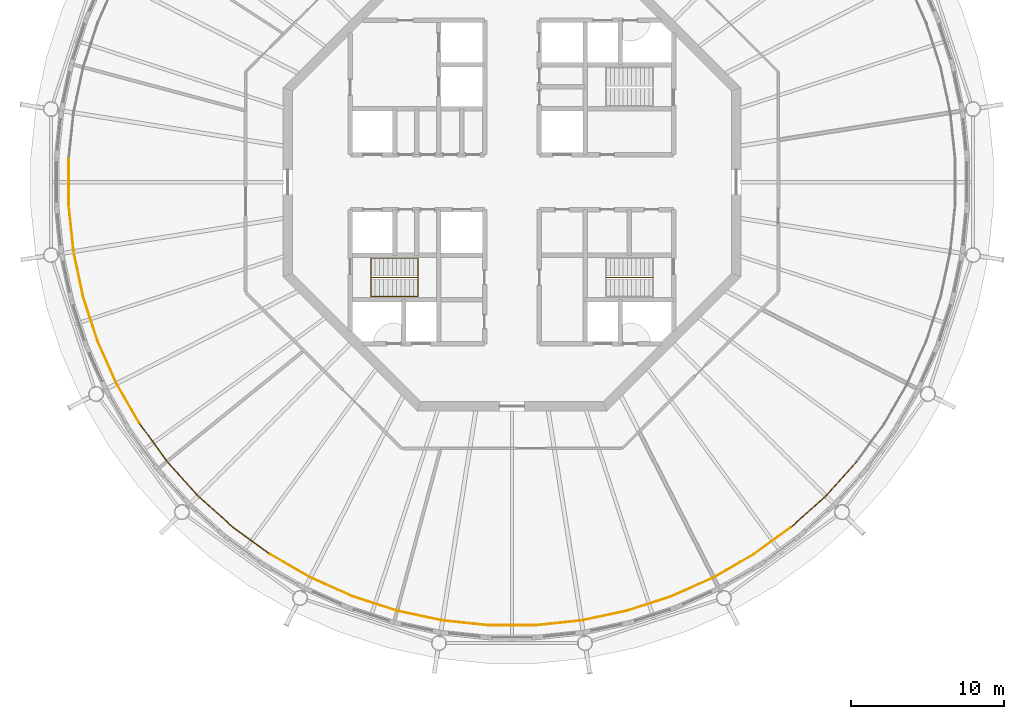
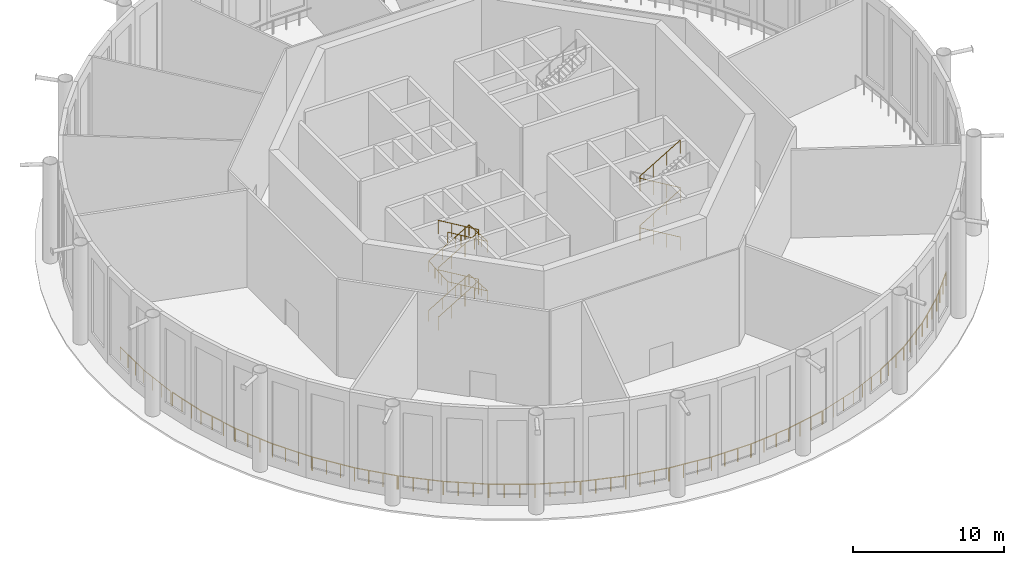
# One storey, part 15 of 17: 15 railings.
"""IFC4 building model written with IfcOpenShell, lengths in metres."""

from ifc_helpers import new_model, si_unit, direction, frame, origin, origin_2d, place, context, subcontext, project, spatial, circle, extrude, material, type_object, element, save


model = new_model("IFC4")

# Units and contexts
model_context = context("Model", 3, precision=1e-05, world=origin(), true_north=direction((0.0, 1.0)))
body_context = subcontext(model_context, "Body", "Model", "MODEL_VIEW")
ifc_project = project(units=[si_unit("LENGTHUNIT", "METRE"), si_unit("AREAUNIT", "SQUARE_METRE"), si_unit("VOLUMEUNIT", "CUBIC_METRE"), si_unit("PLANEANGLEUNIT", "RADIAN"), si_unit("MASSUNIT", "GRAM", prefix="KILO")], contexts=[model_context])

# Site, building, storey
site_placement = place(None, origin())
site = spatial("IfcSite", under=ifc_project, at=site_placement, CompositionType="ELEMENT")
building_placement = place(site_placement, origin())
building = spatial("IfcBuilding", under=site, at=building_placement, Name="Entoto Ring Tower", CompositionType="ELEMENT")
storey_placement = place(building_placement, frame((0.0, 0.0, 407.0)))
storey = spatial("IfcBuildingStorey", under=building, at=storey_placement, Name="L93", CompositionType="ELEMENT", Elevation=407.0)

# Railings
ifc_material_1 = material(Name="Stainless steel 316", Category="steel")
railing_type_1 = type_object("IfcRailingType", Name="Guard 1100 mm steel balustrade, observation floor", PredefinedType="GUARDRAIL", material=ifc_material_1)
railing_1_placement = place(storey_placement, frame((60.93994140625, 81.52294921875, 0.0)))
element("IfcRailing", 1, at=railing_1_placement, inside=storey, type_object=railing_type_1, Name="OBSERVATION FLOOR GUARD 15", PredefinedType="GUARDRAIL", context=body_context, shape_type="SweptSolid", body=[
    extrude(circle(Radius=0.02490234375, at=origin_2d()), frame((0.0, 0.0, 1.0751953125), z_axis=(0.0, -1.0, 0.0), x_axis=(1.0, 0.0, 0.0)), (0.0, 0.0, 1.0), 3.0458984375),
    extrude(circle(Radius=0.02490234375, at=origin_2d()), frame((0.0, -3.0458984375, 1.0751953125), z_axis=(0.104517891713, -0.994523006427, 0.0), x_axis=(0.994523006427, 0.104517891713, 0.0)), (0.0, 0.0, 1.0), 3.0458984375),
    extrude(circle(Radius=0.02490234375, at=origin_2d()), origin(), (0.0, 0.0, 1.0), 1.050048828125),
    extrude(circle(Radius=0.02490234375, at=origin_2d()), frame((0.0, -1.015380859375, 0.0)), (0.0, 0.0, 1.0), 1.050048828125),
    extrude(circle(Radius=0.02490234375, at=origin_2d()), frame((0.0, -2.030517578125, 0.0)), (0.0, 0.0, 1.0), 1.050048828125),
    extrude(circle(Radius=0.02490234375, at=origin_2d()), frame((0.0, -3.0458984375, 0.0)), (0.0, 0.0, 1.0), 1.050048828125),
    extrude(circle(Radius=0.02490234375, at=origin_2d()), frame((0.106201171875, -4.0556640625, 0.0)), (0.0, 0.0, 1.0), 1.050048828125),
    extrude(circle(Radius=0.02490234375, at=origin_2d()), frame((0.212158203125, -5.0654296875, 0.0)), (0.0, 0.0, 1.0), 1.050048828125),
    extrude(circle(Radius=0.02490234375, at=origin_2d()), frame((0.318359375, -6.0751953125, 0.0)), (0.0, 0.0, 1.0), 1.050048828125),
])
railing_2_placement = place(storey_placement, frame((61.2998046875, 75.252197265625, 0.0)))
element("IfcRailing", 2, at=railing_2_placement, inside=storey, type_object=railing_type_1, Name="OBSERVATION FLOOR GUARD 16", PredefinedType="GUARDRAIL", context=body_context, shape_type="SweptSolid", body=[
    extrude(circle(Radius=0.02490234375, at=origin_2d()), frame((0.0, 0.0, 1.0751953125), z_axis=(0.207929543573, -0.978143805843, 0.0), x_axis=(0.978143805843, 0.207929543573, 0.0)), (0.0, 0.0, 1.0), 2.84619140625),
    extrude(circle(Radius=0.02490234375, at=origin_2d()), frame((0.591796875, -2.783935546875, 1.0751953125), z_axis=(0.309006566809, -0.951059904354, 0.0), x_axis=(0.951059904354, 0.309006566809, 0.0)), (0.0, 0.0, 1.0), 2.98583984375),
    extrude(circle(Radius=0.02490234375, at=origin_2d()), origin(), (0.0, 0.0, 1.0), 1.050048828125),
    extrude(circle(Radius=0.02490234375, at=origin_2d()), frame((0.197265625, -0.927978515625, 0.0)), (0.0, 0.0, 1.0), 1.050048828125),
    extrude(circle(Radius=0.02490234375, at=origin_2d()), frame((0.39453125, -1.85595703125, 0.0)), (0.0, 0.0, 1.0), 1.050048828125),
    extrude(circle(Radius=0.02490234375, at=origin_2d()), frame((0.591796875, -2.783935546875, 0.0)), (0.0, 0.0, 1.0), 1.050048828125),
    extrude(circle(Radius=0.02490234375, at=origin_2d()), frame((0.8994140625, -3.73046875, 0.0)), (0.0, 0.0, 1.0), 1.050048828125),
    extrude(circle(Radius=0.02490234375, at=origin_2d()), frame((1.206787109375, -4.677001953125, 0.0)), (0.0, 0.0, 1.0), 1.050048828125),
    extrude(circle(Radius=0.02490234375, at=origin_2d()), frame((1.514404296875, -5.62353515625, 0.0)), (0.0, 0.0, 1.0), 1.050048828125),
])
railing_3_placement = place(storey_placement, frame((62.832763671875, 69.571533203125, 0.0)))
element("IfcRailing", 3, at=railing_3_placement, inside=storey, type_object=railing_type_1, Name="OBSERVATION FLOOR GUARD 17", PredefinedType="GUARDRAIL", context=body_context, shape_type="SweptSolid", body=[
    extrude(circle(Radius=0.02490234375, at=origin_2d()), frame((0.0, 0.0, 1.0751953125), z_axis=(0.406755602467, -0.913537016142, 0.0), x_axis=(0.913537016142, 0.406755602467, 0.0)), (0.0, 0.0, 1.0), 3.046142578125),
    extrude(circle(Radius=0.02490234375, at=origin_2d()), frame((1.239013671875, -2.78271484375, 1.0751953125), z_axis=(0.499981967963, -0.866035814336, 0.0), x_axis=(0.866035814336, 0.499981967963, 0.0)), (0.0, 0.0, 1.0), 2.98583984375),
    extrude(circle(Radius=0.02490234375, at=origin_2d()), origin(), (0.0, 0.0, 1.0), 1.050048828125),
    extrude(circle(Radius=0.02490234375, at=origin_2d()), frame((0.4130859375, -0.927490234375, 0.0)), (0.0, 0.0, 1.0), 1.050048828125),
    extrude(circle(Radius=0.02490234375, at=origin_2d()), frame((0.825927734375, -1.855224609375, 0.0)), (0.0, 0.0, 1.0), 1.050048828125),
    extrude(circle(Radius=0.02490234375, at=origin_2d()), frame((1.239013671875, -2.78271484375, 0.0)), (0.0, 0.0, 1.0), 1.050048828125),
    extrude(circle(Radius=0.02490234375, at=origin_2d()), frame((1.736572265625, -3.644775390625, 0.0)), (0.0, 0.0, 1.0), 1.050048828125),
    extrude(circle(Radius=0.02490234375, at=origin_2d()), frame((2.234375, -4.506591796875, 0.0)), (0.0, 0.0, 1.0), 1.050048828125),
    extrude(circle(Radius=0.02490234375, at=origin_2d()), frame((2.73193359375, -5.36865234375, 0.0)), (0.0, 0.0, 1.0), 1.050048828125),
])
railing_4_placement = place(storey_placement, frame((65.5947265625, 64.151123046875, 0.0)))
element("IfcRailing", 4, at=railing_4_placement, inside=storey, type_object=railing_type_1, Name="OBSERVATION FLOOR GUARD 18", PredefinedType="GUARDRAIL", context=body_context, shape_type="SweptSolid", body=[
    extrude(circle(Radius=0.02490234375, at=origin_2d()), frame((0.0, 0.0, 1.0751953125), z_axis=(0.587747466225, -0.809044446212, 0.0), x_axis=(0.809044446212, 0.587747466225, 0.0)), (0.0, 0.0, 1.0), 3.0458984375),
    extrude(circle(Radius=0.02490234375, at=origin_2d()), frame((1.790283203125, -2.46435546875, 1.0751953125), z_axis=(0.669140885276, -0.74313557017, 0.0), x_axis=(0.74313557017, 0.669140885276, 0.0)), (0.0, 0.0, 1.0), 2.986083984375),
    extrude(circle(Radius=0.02490234375, at=origin_2d()), origin(), (0.0, 0.0, 1.0), 1.050048828125),
    extrude(circle(Radius=0.02490234375, at=origin_2d()), frame((0.5966796875, -0.821533203125, 0.0)), (0.0, 0.0, 1.0), 1.050048828125),
    extrude(circle(Radius=0.02490234375, at=origin_2d()), frame((1.193603515625, -1.642822265625, 0.0)), (0.0, 0.0, 1.0), 1.050048828125),
    extrude(circle(Radius=0.02490234375, at=origin_2d()), frame((1.790283203125, -2.46435546875, 0.0)), (0.0, 0.0, 1.0), 1.050048828125),
    extrude(circle(Radius=0.02490234375, at=origin_2d()), frame((2.456298828125, -3.2041015625, 0.0)), (0.0, 0.0, 1.0), 1.050048828125),
    extrude(circle(Radius=0.02490234375, at=origin_2d()), frame((3.122314453125, -3.943603515625, 0.0)), (0.0, 0.0, 1.0), 1.050048828125),
    extrude(circle(Radius=0.02490234375, at=origin_2d()), frame((3.788330078125, -4.683349609375, 0.0)), (0.0, 0.0, 1.0), 1.050048828125),
])
railing_5_placement = place(storey_placement, frame((69.423095703125, 59.423095703125, 0.0)))
element("IfcRailing", 5, at=railing_5_placement, inside=storey, type_object=railing_type_1, Name="OBSERVATION FLOOR GUARD 19", PredefinedType="GUARDRAIL", context=body_context, shape_type="SweptSolid", body=[
    extrude(circle(Radius=0.02490234375, at=origin_2d()), frame((0.0, 0.0, 1.0751953125), z_axis=(0.743166598537, -0.669106424135, 0.0), x_axis=(0.669106424135, 0.743166598537, 0.0)), (0.0, 0.0, 1.0), 3.0458984375),
    extrude(circle(Radius=0.02490234375, at=origin_2d()), frame((2.263671875, -2.0380859375, 1.0751953125), z_axis=(0.809022371949, -0.587777850626, 0.0), x_axis=(0.587777850626, 0.809022371949, 0.0)), (0.0, 0.0, 1.0), 2.986083984375),
    extrude(circle(Radius=0.02490234375, at=origin_2d()), origin(), (0.0, 0.0, 1.0), 1.050048828125),
    extrude(circle(Radius=0.02490234375, at=origin_2d()), frame((0.754638671875, -0.679443359375, 0.0)), (0.0, 0.0, 1.0), 1.050048828125),
    extrude(circle(Radius=0.02490234375, at=origin_2d()), frame((1.509033203125, -1.358642578125, 0.0)), (0.0, 0.0, 1.0), 1.050048828125),
    extrude(circle(Radius=0.02490234375, at=origin_2d()), frame((2.263671875, -2.0380859375, 0.0)), (0.0, 0.0, 1.0), 1.050048828125),
    extrude(circle(Radius=0.02490234375, at=origin_2d()), frame((3.06884765625, -2.623046875, 0.0)), (0.0, 0.0, 1.0), 1.050048828125),
    extrude(circle(Radius=0.02490234375, at=origin_2d()), frame((3.874267578125, -3.208251953125, 0.0)), (0.0, 0.0, 1.0), 1.050048828125),
    extrude(circle(Radius=0.02490234375, at=origin_2d()), frame((4.679443359375, -3.793212890625, 0.0)), (0.0, 0.0, 1.0), 1.050048828125),
])
railing_6_placement = place(storey_placement, frame((74.151123046875, 55.5947265625, 0.0)))
element("IfcRailing", 6, at=railing_6_placement, inside=storey, type_object=railing_type_1, Name="OBSERVATION FLOOR GUARD 20", PredefinedType="GUARDRAIL", context=body_context, shape_type="SweptSolid", body=[
    extrude(circle(Radius=0.02490234375, at=origin_2d()), frame((0.0, 0.0, 1.0751953125), z_axis=(0.866014723935, -0.500018497585, 0.0), x_axis=(0.500018497585, 0.866014723935, 0.0)), (0.0, 0.0, 1.0), 3.0458984375),
    extrude(circle(Radius=0.02490234375, at=origin_2d()), frame((2.6376953125, -1.52294921875, 1.0751953125), z_axis=(0.913531485068, -0.406768024542, 0.0), x_axis=(0.406768024542, 0.913531485068, 0.0)), (0.0, 0.0, 1.0), 2.986083984375),
    extrude(circle(Radius=0.02490234375, at=origin_2d()), origin(), (0.0, 0.0, 1.0), 1.050048828125),
    extrude(circle(Radius=0.02490234375, at=origin_2d()), frame((0.879150390625, -0.507568359375, 0.0)), (0.0, 0.0, 1.0), 1.050048828125),
    extrude(circle(Radius=0.02490234375, at=origin_2d()), frame((1.758544921875, -1.015380859375, 0.0)), (0.0, 0.0, 1.0), 1.050048828125),
    extrude(circle(Radius=0.02490234375, at=origin_2d()), frame((2.6376953125, -1.52294921875, 0.0)), (0.0, 0.0, 1.0), 1.050048828125),
    extrude(circle(Radius=0.02490234375, at=origin_2d()), frame((3.546875, -1.927734375, 0.0)), (0.0, 0.0, 1.0), 1.050048828125),
    extrude(circle(Radius=0.02490234375, at=origin_2d()), frame((4.456298828125, -2.332763671875, 0.0)), (0.0, 0.0, 1.0), 1.050048828125),
    extrude(circle(Radius=0.02490234375, at=origin_2d()), frame((5.365478515625, -2.737548828125, 0.0)), (0.0, 0.0, 1.0), 1.050048828125),
])
railing_7_placement = place(storey_placement, frame((79.571533203125, 52.832763671875, 0.0)))
element("IfcRailing", 7, at=railing_7_placement, inside=storey, type_object=railing_type_1, Name="OBSERVATION FLOOR GUARD 21", PredefinedType="GUARDRAIL", context=body_context, shape_type="SweptSolid", body=[
    extrude(circle(Radius=0.02490234375, at=origin_2d()), frame((0.0, 0.0, 1.0751953125), z_axis=(0.951060572715, -0.309004509719, 0.0), x_axis=(0.309004509719, 0.951060572715, 0.0)), (0.0, 0.0, 1.0), 3.0458984375),
    extrude(circle(Radius=0.02490234375, at=origin_2d()), frame((2.896728515625, -0.941162109375, 1.0751953125), z_axis=(0.978148044734, -0.207909601952, 0.0), x_axis=(0.207909601952, 0.978148044734, 0.0)), (0.0, 0.0, 1.0), 2.986083984375),
    extrude(circle(Radius=0.02490234375, at=origin_2d()), origin(), (0.0, 0.0, 1.0), 1.050048828125),
    extrude(circle(Radius=0.02490234375, at=origin_2d()), frame((0.965576171875, -0.313720703125, 0.0)), (0.0, 0.0, 1.0), 1.050048828125),
    extrude(circle(Radius=0.02490234375, at=origin_2d()), frame((1.93115234375, -0.62744140625, 0.0)), (0.0, 0.0, 1.0), 1.050048828125),
    extrude(circle(Radius=0.02490234375, at=origin_2d()), frame((2.896728515625, -0.941162109375, 0.0)), (0.0, 0.0, 1.0), 1.050048828125),
    extrude(circle(Radius=0.02490234375, at=origin_2d()), frame((3.870361328125, -1.148193359375, 0.0)), (0.0, 0.0, 1.0), 1.050048828125),
    extrude(circle(Radius=0.02490234375, at=origin_2d()), frame((4.843994140625, -1.35498046875, 0.0)), (0.0, 0.0, 1.0), 1.050048828125),
    extrude(circle(Radius=0.02490234375, at=origin_2d()), frame((5.817626953125, -1.56201171875, 0.0)), (0.0, 0.0, 1.0), 1.050048828125),
])
railing_8_placement = place(storey_placement, frame((85.44775390625, 51.25830078125, 0.0)))
element("IfcRailing", 8, at=railing_8_placement, inside=storey, type_object=railing_type_1, Name="OBSERVATION FLOOR GUARD 22", PredefinedType="GUARDRAIL", context=body_context, shape_type="SweptSolid", body=[
    extrude(circle(Radius=0.02490234375, at=origin_2d()), frame((0.0, 0.0, 1.0751953125), z_axis=(0.994523006427, -0.104517891713, 0.0), x_axis=(0.104517891713, 0.994523006427, 0.0)), (0.0, 0.0, 1.0), 3.0458984375),
    extrude(circle(Radius=0.02490234375, at=origin_2d()), frame((3.029296875, -0.318359375, 1.0751953125), z_axis=(1.0, 0.0, 0.0), x_axis=(0.0, 1.0, 0.0)), (0.0, 0.0, 1.0), 2.98583984375),
    extrude(circle(Radius=0.02490234375, at=origin_2d()), origin(), (0.0, 0.0, 1.0), 1.050048828125),
    extrude(circle(Radius=0.02490234375, at=origin_2d()), frame((1.009765625, -0.106201171875, 0.0)), (0.0, 0.0, 1.0), 1.050048828125),
    extrude(circle(Radius=0.02490234375, at=origin_2d()), frame((2.01953125, -0.212158203125, 0.0)), (0.0, 0.0, 1.0), 1.050048828125),
    extrude(circle(Radius=0.02490234375, at=origin_2d()), frame((3.029296875, -0.318359375, 0.0)), (0.0, 0.0, 1.0), 1.050048828125),
    extrude(circle(Radius=0.02490234375, at=origin_2d()), frame((4.024658203125, -0.318359375, 0.0)), (0.0, 0.0, 1.0), 1.050048828125),
    extrude(circle(Radius=0.02490234375, at=origin_2d()), frame((5.019775390625, -0.318359375, 0.0)), (0.0, 0.0, 1.0), 1.050048828125),
    extrude(circle(Radius=0.02490234375, at=origin_2d()), frame((6.01513671875, -0.318359375, 0.0)), (0.0, 0.0, 1.0), 1.050048828125),
])
railing_9_placement = place(storey_placement, frame((91.52294921875, 50.93994140625, 0.0)))
element("IfcRailing", 9, at=railing_9_placement, inside=storey, type_object=railing_type_1, Name="OBSERVATION FLOOR GUARD 23", PredefinedType="GUARDRAIL", context=body_context, shape_type="SweptSolid", body=[
    extrude(circle(Radius=0.02490234375, at=origin_2d()), frame((0.0, 0.0, 1.0751953125), z_axis=(0.994523006427, 0.104517891713, 0.0), x_axis=(-0.104517891713, 0.994523006427, 0.0)), (0.0, 0.0, 1.0), 3.0458984375),
    extrude(circle(Radius=0.02490234375, at=origin_2d()), frame((3.029296875, 0.318359375, 1.0751953125), z_axis=(0.978144510222, 0.20792623, 0.0), x_axis=(-0.20792623, 0.978144510222, 0.0)), (0.0, 0.0, 1.0), 2.98583984375),
    extrude(circle(Radius=0.02490234375, at=origin_2d()), origin(), (0.0, 0.0, 1.0), 1.050048828125),
    extrude(circle(Radius=0.02490234375, at=origin_2d()), frame((1.009765625, 0.106201171875, 0.0)), (0.0, 0.0, 1.0), 1.050048828125),
    extrude(circle(Radius=0.02490234375, at=origin_2d()), frame((2.01953125, 0.212158203125, 0.0)), (0.0, 0.0, 1.0), 1.050048828125),
    extrude(circle(Radius=0.02490234375, at=origin_2d()), frame((3.029296875, 0.318359375, 0.0)), (0.0, 0.0, 1.0), 1.050048828125),
    extrude(circle(Radius=0.02490234375, at=origin_2d()), frame((4.0029296875, 0.525390625, 0.0)), (0.0, 0.0, 1.0), 1.050048828125),
    extrude(circle(Radius=0.02490234375, at=origin_2d()), frame((4.976318359375, 0.732177734375, 0.0)), (0.0, 0.0, 1.0), 1.050048828125),
    extrude(circle(Radius=0.02490234375, at=origin_2d()), frame((5.949951171875, 0.939208984375, 0.0)), (0.0, 0.0, 1.0), 1.050048828125),
])
railing_10_placement = place(storey_placement, frame((97.53173828125, 51.8916015625, 0.0)))
element("IfcRailing", 10, at=railing_10_placement, inside=storey, type_object=railing_type_1, Name="OBSERVATION FLOOR GUARD 24", PredefinedType="GUARDRAIL", context=body_context, shape_type="SweptSolid", body=[
    extrude(circle(Radius=0.02490234375, at=origin_2d()), frame((0.0, 0.0, 1.0751953125), z_axis=(0.951060572715, 0.309004509719, 0.0), x_axis=(-0.309004509719, 0.951060572715, 0.0)), (0.0, 0.0, 1.0), 3.0458984375),
    extrude(circle(Radius=0.02490234375, at=origin_2d()), frame((2.896728515625, 0.941162109375, 1.0751953125), z_axis=(0.913531485068, 0.406768024542, 0.0), x_axis=(-0.406768024542, 0.913531485068, 0.0)), (0.0, 0.0, 1.0), 2.986083984375),
    extrude(circle(Radius=0.02490234375, at=origin_2d()), origin(), (0.0, 0.0, 1.0), 1.050048828125),
    extrude(circle(Radius=0.02490234375, at=origin_2d()), frame((0.965576171875, 0.313720703125, 0.0)), (0.0, 0.0, 1.0), 1.050048828125),
    extrude(circle(Radius=0.02490234375, at=origin_2d()), frame((1.93115234375, 0.62744140625, 0.0)), (0.0, 0.0, 1.0), 1.050048828125),
    extrude(circle(Radius=0.02490234375, at=origin_2d()), frame((2.896728515625, 0.941162109375, 0.0)), (0.0, 0.0, 1.0), 1.050048828125),
    extrude(circle(Radius=0.02490234375, at=origin_2d()), frame((3.805908203125, 1.345947265625, 0.0)), (0.0, 0.0, 1.0), 1.050048828125),
    extrude(circle(Radius=0.02490234375, at=origin_2d()), frame((4.71533203125, 1.7509765625, 0.0)), (0.0, 0.0, 1.0), 1.050048828125),
    extrude(circle(Radius=0.02490234375, at=origin_2d()), frame((5.62451171875, 2.15576171875, 0.0)), (0.0, 0.0, 1.0), 1.050048828125),
])
railing_11_placement = place(storey_placement, frame((103.211181640625, 54.07177734375, 0.0)))
element("IfcRailing", 11, at=railing_11_placement, inside=storey, type_object=railing_type_1, Name="OBSERVATION FLOOR GUARD 25", PredefinedType="GUARDRAIL", context=body_context, shape_type="SweptSolid", body=[
    extrude(circle(Radius=0.02490234375, at=origin_2d()), frame((0.0, 0.0, 1.0751953125), z_axis=(0.866014723935, 0.500018497585, 0.0), x_axis=(-0.500018497585, 0.866014723935, 0.0)), (0.0, 0.0, 1.0), 3.0458984375),
    extrude(circle(Radius=0.02490234375, at=origin_2d()), frame((2.6376953125, 1.52294921875, 1.0751953125), z_axis=(0.809022371949, 0.587777850626, 0.0), x_axis=(-0.587777850626, 0.809022371949, 0.0)), (0.0, 0.0, 1.0), 2.986083984375),
    extrude(circle(Radius=0.02490234375, at=origin_2d()), origin(), (0.0, 0.0, 1.0), 1.050048828125),
    extrude(circle(Radius=0.02490234375, at=origin_2d()), frame((0.879150390625, 0.507568359375, 0.0)), (0.0, 0.0, 1.0), 1.050048828125),
    extrude(circle(Radius=0.02490234375, at=origin_2d()), frame((1.758544921875, 1.015380859375, 0.0)), (0.0, 0.0, 1.0), 1.050048828125),
    extrude(circle(Radius=0.02490234375, at=origin_2d()), frame((2.6376953125, 1.52294921875, 0.0)), (0.0, 0.0, 1.0), 1.050048828125),
    extrude(circle(Radius=0.02490234375, at=origin_2d()), frame((3.44287109375, 2.10791015625, 0.0)), (0.0, 0.0, 1.0), 1.050048828125),
    extrude(circle(Radius=0.02490234375, at=origin_2d()), frame((4.248291015625, 2.693115234375, 0.0)), (0.0, 0.0, 1.0), 1.050048828125),
    extrude(circle(Radius=0.02490234375, at=origin_2d()), frame((5.053466796875, 3.278076171875, 0.0)), (0.0, 0.0, 1.0), 1.050048828125),
])
railing_12_placement = place(storey_placement, frame((108.313232421875, 57.385009765625, 0.0)))
element("IfcRailing", 12, at=railing_12_placement, inside=storey, type_object=railing_type_1, Name="OBSERVATION FLOOR GUARD 26", PredefinedType="GUARDRAIL", context=body_context, shape_type="SweptSolid", body=[
    extrude(circle(Radius=0.02490234375, at=origin_2d()), frame((0.0, 0.0, 1.0751953125), z_axis=(0.743166598537, 0.669106424135, 0.0), x_axis=(-0.669106424135, 0.743166598537, 0.0)), (0.0, 0.0, 1.0), 3.0458984375),
    extrude(circle(Radius=0.02490234375, at=origin_2d()), frame((2.263671875, 2.0380859375, 1.0751953125), z_axis=(0.669095728421, 0.743176228232, 0.0), x_axis=(-0.743176228232, 0.669095728421, 0.0)), (0.0, 0.0, 1.0), 2.98583984375),
    extrude(circle(Radius=0.02490234375, at=origin_2d()), origin(), (0.0, 0.0, 1.0), 1.050048828125),
    extrude(circle(Radius=0.02490234375, at=origin_2d()), frame((0.754638671875, 0.679443359375, 0.0)), (0.0, 0.0, 1.0), 1.050048828125),
    extrude(circle(Radius=0.02490234375, at=origin_2d()), frame((1.509033203125, 1.358642578125, 0.0)), (0.0, 0.0, 1.0), 1.050048828125),
    extrude(circle(Radius=0.02490234375, at=origin_2d()), frame((2.263671875, 2.0380859375, 0.0)), (0.0, 0.0, 1.0), 1.050048828125),
    extrude(circle(Radius=0.02490234375, at=origin_2d()), frame((2.9296875, 2.77783203125, 0.0)), (0.0, 0.0, 1.0), 1.050048828125),
    extrude(circle(Radius=0.02490234375, at=origin_2d()), frame((3.595458984375, 3.517333984375, 0.0)), (0.0, 0.0, 1.0), 1.050048828125),
    extrude(circle(Radius=0.02490234375, at=origin_2d()), frame((4.261474609375, 4.257080078125, 0.0)), (0.0, 0.0, 1.0), 1.050048828125),
])
ifc_material_2 = material(Name="Steel S275", Category="steel")
railing_type_2 = type_object("IfcRailingType", Name="Stair guard 1100 mm steel", PredefinedType="GUARDRAIL", material=ifc_material_2)
railing_13_placement = place(storey_placement, frame((80.75, 73.75, 0.166748046875)))
element("IfcRailing", 13, at=railing_13_placement, inside=storey, type_object=railing_type_2, Name="Guard ST2", PredefinedType="GUARDRAIL", context=body_context, shape_type="SweptSolid", body=[
    extrude(circle(Radius=0.02392578125, at=origin_2d()), frame((0.0, 0.0, 1.076171875), z_axis=(0.859308565015, 0.0, 0.511457515432), x_axis=(0.0, 1.0, 0.0)), (0.0, 0.0, 1.0), 3.58447265625),
    extrude(circle(Radius=0.02392578125, at=origin_2d()), frame((3.080078125, 0.0, 2.9091796875), z_axis=(0.0, 0.0, 1.0), x_axis=(1.0, 0.0, 0.0)), (0.0, 0.0, 1.0), 0.166748046875),
    extrude(circle(Radius=0.02392578125, at=origin_2d()), frame((3.080078125, 0.0, 3.076171875), z_axis=(-0.859308565015, 0.0, 0.511457515432), x_axis=(0.0, -1.0, 0.0)), (0.0, 0.0, 1.0), 3.58447265625),
    extrude(circle(Radius=0.02392578125, at=origin_2d()), frame((0.0, 0.0, 4.9091796875), z_axis=(0.0, 0.0, 1.0), x_axis=(1.0, 0.0, 0.0)), (0.0, 0.0, 1.0), 0.166748046875),
    extrude(circle(Radius=0.02392578125, at=origin_2d()), frame((0.0, 0.0, 5.076171875), z_axis=(0.859308565015, 0.0, 0.511457515432), x_axis=(0.0, 1.0, 0.0)), (0.0, 0.0, 1.0), 3.58447265625),
    extrude(circle(Radius=0.02392578125, at=origin_2d()), frame((3.080078125, 0.0, 6.9091796875), z_axis=(0.0, 0.0, 1.0), x_axis=(1.0, 0.0, 0.0)), (0.0, 0.0, 1.0), 0.166748046875),
    extrude(circle(Radius=0.02392578125, at=origin_2d()), frame((3.080078125, 0.0, 7.076171875), z_axis=(-0.859308565015, 0.0, 0.511457515432), x_axis=(0.0, -1.0, 0.0)), (0.0, 0.0, 1.0), 3.58447265625),
    extrude(circle(Radius=0.02099609375, at=origin_2d()), origin(), (0.0, 0.0, 1.0), 1.052001953125),
    extrude(circle(Radius=0.02099609375, at=origin_2d()), frame((1.026611328125, 0.0, 0.611083984375)), (0.0, 0.0, 1.0), 1.052001953125),
    extrude(circle(Radius=0.02099609375, at=origin_2d()), frame((2.053466796875, 0.0, 1.22216796875)), (0.0, 0.0, 1.0), 1.052001953125),
    extrude(circle(Radius=0.02099609375, at=origin_2d()), frame((3.080078125, 0.0, 1.833251953125)), (0.0, 0.0, 1.0), 1.052001953125),
    extrude(circle(Radius=0.02099609375, at=origin_2d()), frame((3.080078125, 0.0, 2.0)), (0.0, 0.0, 1.0), 1.052001953125),
    extrude(circle(Radius=0.02099609375, at=origin_2d()), frame((2.053466796875, 0.0, 2.611083984375)), (0.0, 0.0, 1.0), 1.052001953125),
    extrude(circle(Radius=0.02099609375, at=origin_2d()), frame((1.026611328125, 0.0, 3.22216796875)), (0.0, 0.0, 1.0), 1.052001953125),
    extrude(circle(Radius=0.02099609375, at=origin_2d()), frame((0.0, 0.0, 3.833251953125)), (0.0, 0.0, 1.0), 1.052001953125),
    extrude(circle(Radius=0.02099609375, at=origin_2d()), frame((0.0, 0.0, 4.0)), (0.0, 0.0, 1.0), 1.052001953125),
    extrude(circle(Radius=0.02099609375, at=origin_2d()), frame((1.026611328125, 0.0, 4.611083984375)), (0.0, 0.0, 1.0), 1.052001953125),
    extrude(circle(Radius=0.02099609375, at=origin_2d()), frame((2.053466796875, 0.0, 5.22216796875)), (0.0, 0.0, 1.0), 1.052001953125),
    extrude(circle(Radius=0.02099609375, at=origin_2d()), frame((3.080078125, 0.0, 5.833251953125)), (0.0, 0.0, 1.0), 1.052001953125),
    extrude(circle(Radius=0.02099609375, at=origin_2d()), frame((3.080078125, 0.0, 6.0)), (0.0, 0.0, 1.0), 1.052001953125),
    extrude(circle(Radius=0.02099609375, at=origin_2d()), frame((2.053466796875, 0.0, 6.611083984375)), (0.0, 0.0, 1.0), 1.052001953125),
    extrude(circle(Radius=0.02099609375, at=origin_2d()), frame((1.026611328125, 0.0, 7.22216796875)), (0.0, 0.0, 1.0), 1.052001953125),
    extrude(circle(Radius=0.02099609375, at=origin_2d()), frame((0.0, 0.0, 7.833251953125)), (0.0, 0.0, 1.0), 1.052001953125),
])
railing_14_placement = place(storey_placement, frame((99.25, 73.75, 0.166748046875)))
element("IfcRailing", 14, at=railing_14_placement, inside=storey, type_object=railing_type_2, Name="Guard ST3", PredefinedType="GUARDRAIL", context=body_context, shape_type="SweptSolid", body=[
    extrude(circle(Radius=0.02392578125, at=origin_2d()), frame((0.0, 0.0, 1.076171875), z_axis=(-0.859308565015, 0.0, 0.511457515432), x_axis=(0.0, -1.0, 0.0)), (0.0, 0.0, 1.0), 3.58447265625),
    extrude(circle(Radius=0.02392578125, at=origin_2d()), frame((-3.080078125, 0.0, 2.9091796875), z_axis=(0.0, 0.0, 1.0), x_axis=(1.0, 0.0, 0.0)), (0.0, 0.0, 1.0), 0.166748046875),
    extrude(circle(Radius=0.02392578125, at=origin_2d()), frame((-3.080078125, 0.0, 3.076171875), z_axis=(0.859308565015, 0.0, 0.511457515432), x_axis=(0.0, 1.0, 0.0)), (0.0, 0.0, 1.0), 3.58447265625),
    extrude(circle(Radius=0.02392578125, at=origin_2d()), frame((0.0, 0.0, 4.9091796875), z_axis=(0.0, 0.0, 1.0), x_axis=(1.0, 0.0, 0.0)), (0.0, 0.0, 1.0), 0.166748046875),
    extrude(circle(Radius=0.02392578125, at=origin_2d()), frame((0.0, 0.0, 5.076171875), z_axis=(-0.859308565015, 0.0, 0.511457515432), x_axis=(0.0, -1.0, 0.0)), (0.0, 0.0, 1.0), 3.58447265625),
    extrude(circle(Radius=0.02392578125, at=origin_2d()), frame((-3.080078125, 0.0, 6.9091796875), z_axis=(0.0, 0.0, 1.0), x_axis=(1.0, 0.0, 0.0)), (0.0, 0.0, 1.0), 0.166748046875),
    extrude(circle(Radius=0.02392578125, at=origin_2d()), frame((-3.080078125, 0.0, 7.076171875), z_axis=(0.859308565015, 0.0, 0.511457515432), x_axis=(0.0, 1.0, 0.0)), (0.0, 0.0, 1.0), 3.58447265625),
    extrude(circle(Radius=0.02099609375, at=origin_2d()), origin(), (0.0, 0.0, 1.0), 1.052001953125),
    extrude(circle(Radius=0.02099609375, at=origin_2d()), frame((-1.026611328125, 0.0, 0.611083984375)), (0.0, 0.0, 1.0), 1.052001953125),
    extrude(circle(Radius=0.02099609375, at=origin_2d()), frame((-2.053466796875, 0.0, 1.22216796875)), (0.0, 0.0, 1.0), 1.052001953125),
    extrude(circle(Radius=0.02099609375, at=origin_2d()), frame((-3.080078125, 0.0, 1.833251953125)), (0.0, 0.0, 1.0), 1.052001953125),
    extrude(circle(Radius=0.02099609375, at=origin_2d()), frame((-3.080078125, 0.0, 2.0)), (0.0, 0.0, 1.0), 1.052001953125),
    extrude(circle(Radius=0.02099609375, at=origin_2d()), frame((-2.053466796875, 0.0, 2.611083984375)), (0.0, 0.0, 1.0), 1.052001953125),
    extrude(circle(Radius=0.02099609375, at=origin_2d()), frame((-1.026611328125, 0.0, 3.22216796875)), (0.0, 0.0, 1.0), 1.052001953125),
    extrude(circle(Radius=0.02099609375, at=origin_2d()), frame((0.0, 0.0, 3.833251953125)), (0.0, 0.0, 1.0), 1.052001953125),
    extrude(circle(Radius=0.02099609375, at=origin_2d()), frame((0.0, 0.0, 4.0)), (0.0, 0.0, 1.0), 1.052001953125),
    extrude(circle(Radius=0.02099609375, at=origin_2d()), frame((-1.026611328125, 0.0, 4.611083984375)), (0.0, 0.0, 1.0), 1.052001953125),
    extrude(circle(Radius=0.02099609375, at=origin_2d()), frame((-2.053466796875, 0.0, 5.22216796875)), (0.0, 0.0, 1.0), 1.052001953125),
    extrude(circle(Radius=0.02099609375, at=origin_2d()), frame((-3.080078125, 0.0, 5.833251953125)), (0.0, 0.0, 1.0), 1.052001953125),
    extrude(circle(Radius=0.02099609375, at=origin_2d()), frame((-3.080078125, 0.0, 6.0)), (0.0, 0.0, 1.0), 1.052001953125),
    extrude(circle(Radius=0.02099609375, at=origin_2d()), frame((-2.053466796875, 0.0, 6.611083984375)), (0.0, 0.0, 1.0), 1.052001953125),
    extrude(circle(Radius=0.02099609375, at=origin_2d()), frame((-1.026611328125, 0.0, 7.22216796875)), (0.0, 0.0, 1.0), 1.052001953125),
    extrude(circle(Radius=0.02099609375, at=origin_2d()), frame((0.0, 0.0, 7.833251953125)), (0.0, 0.0, 1.0), 1.052001953125),
])
ifc_material_3 = material(Name="Steel S275", Category="steel")
railing_type_3 = type_object("IfcRailingType", Name="Stair handrail 900 mm steel", PredefinedType="HANDRAIL", material=ifc_material_3)
railing_15_placement = place(storey_placement, frame((80.75, 75.0, 0.166748046875)))
element("IfcRailing", 15, at=railing_15_placement, inside=storey, type_object=railing_type_3, Name="Handrail ST2", PredefinedType="HANDRAIL", context=body_context, shape_type="SweptSolid", body=[
    extrude(circle(Radius=0.02392578125, at=origin_2d()), frame((0.0, 0.0, 0.8759765625), z_axis=(0.859308565015, 0.0, 0.511457515432), x_axis=(0.0, 1.0, 0.0)), (0.0, 0.0, 1.0), 3.58447265625),
    extrude(circle(Radius=0.02392578125, at=origin_2d()), frame((3.080078125, 0.0, 2.708984375), z_axis=(0.0, -0.997783001586, 0.066551346688), x_axis=(1.0, 0.0, 0.0)), (0.0, 0.0, 1.0), 2.505615234375),
    extrude(circle(Radius=0.02392578125, at=origin_2d()), frame((3.080078125, -2.5, 2.8759765625), z_axis=(-0.859308565015, 0.0, 0.511457515432), x_axis=(0.0, -1.0, 0.0)), (0.0, 0.0, 1.0), 3.58447265625),
    extrude(circle(Radius=0.02392578125, at=origin_2d()), frame((0.0, -2.5, 4.708984375), z_axis=(0.0, 0.997783001586, 0.066551346688), x_axis=(-1.0, 0.0, 0.0)), (0.0, 0.0, 1.0), 2.505615234375),
    extrude(circle(Radius=0.02392578125, at=origin_2d()), frame((0.0, 0.0, 4.8759765625), z_axis=(0.859308565015, 0.0, 0.511457515432), x_axis=(0.0, 1.0, 0.0)), (0.0, 0.0, 1.0), 3.58447265625),
    extrude(circle(Radius=0.02392578125, at=origin_2d()), frame((3.080078125, 0.0, 6.708984375), z_axis=(0.0, -0.997783001586, 0.066551346688), x_axis=(1.0, 0.0, 0.0)), (0.0, 0.0, 1.0), 2.505615234375),
    extrude(circle(Radius=0.02392578125, at=origin_2d()), frame((3.080078125, -2.5, 6.8759765625), z_axis=(-0.859308565015, 0.0, 0.511457515432), x_axis=(0.0, -1.0, 0.0)), (0.0, 0.0, 1.0), 3.58447265625),
    extrude(circle(Radius=0.02099609375, at=origin_2d()), origin(), (0.0, 0.0, 1.0), 0.851806640625),
    extrude(circle(Radius=0.02099609375, at=origin_2d()), frame((1.026611328125, 0.0, 0.611083984375)), (0.0, 0.0, 1.0), 0.851806640625),
    extrude(circle(Radius=0.02099609375, at=origin_2d()), frame((2.053466796875, 0.0, 1.22216796875)), (0.0, 0.0, 1.0), 0.851806640625),
    extrude(circle(Radius=0.02099609375, at=origin_2d()), frame((3.080078125, 0.0, 1.833251953125)), (0.0, 0.0, 1.0), 0.851806640625),
    extrude(circle(Radius=0.02099609375, at=origin_2d()), frame((3.080078125, -0.833251953125, 1.888916015625)), (0.0, 0.0, 1.0), 0.851806640625),
    extrude(circle(Radius=0.02099609375, at=origin_2d()), frame((3.080078125, -1.666748046875, 1.9443359375)), (0.0, 0.0, 1.0), 0.851806640625),
    extrude(circle(Radius=0.02099609375, at=origin_2d()), frame((3.080078125, -2.5, 2.0)), (0.0, 0.0, 1.0), 0.851806640625),
    extrude(circle(Radius=0.02099609375, at=origin_2d()), frame((2.053466796875, -2.5, 2.611083984375)), (0.0, 0.0, 1.0), 0.851806640625),
    extrude(circle(Radius=0.02099609375, at=origin_2d()), frame((1.026611328125, -2.5, 3.22216796875)), (0.0, 0.0, 1.0), 0.851806640625),
    extrude(circle(Radius=0.02099609375, at=origin_2d()), frame((0.0, -2.5, 3.833251953125)), (0.0, 0.0, 1.0), 0.851806640625),
    extrude(circle(Radius=0.02099609375, at=origin_2d()), frame((0.0, -1.666748046875, 3.888916015625)), (0.0, 0.0, 1.0), 0.851806640625),
    extrude(circle(Radius=0.02099609375, at=origin_2d()), frame((0.0, -0.833251953125, 3.9443359375)), (0.0, 0.0, 1.0), 0.851806640625),
    extrude(circle(Radius=0.02099609375, at=origin_2d()), frame((0.0, 0.0, 4.0)), (0.0, 0.0, 1.0), 0.851806640625),
    extrude(circle(Radius=0.02099609375, at=origin_2d()), frame((1.026611328125, 0.0, 4.611083984375)), (0.0, 0.0, 1.0), 0.851806640625),
    extrude(circle(Radius=0.02099609375, at=origin_2d()), frame((2.053466796875, 0.0, 5.22216796875)), (0.0, 0.0, 1.0), 0.851806640625),
    extrude(circle(Radius=0.02099609375, at=origin_2d()), frame((3.080078125, 0.0, 5.833251953125)), (0.0, 0.0, 1.0), 0.851806640625),
    extrude(circle(Radius=0.02099609375, at=origin_2d()), frame((3.080078125, -0.833251953125, 5.888916015625)), (0.0, 0.0, 1.0), 0.851806640625),
    extrude(circle(Radius=0.02099609375, at=origin_2d()), frame((3.080078125, -1.666748046875, 5.9443359375)), (0.0, 0.0, 1.0), 0.851806640625),
    extrude(circle(Radius=0.02099609375, at=origin_2d()), frame((3.080078125, -2.5, 6.0)), (0.0, 0.0, 1.0), 0.851806640625),
    extrude(circle(Radius=0.02099609375, at=origin_2d()), frame((2.053466796875, -2.5, 6.611083984375)), (0.0, 0.0, 1.0), 0.851806640625),
    extrude(circle(Radius=0.02099609375, at=origin_2d()), frame((1.026611328125, -2.5, 7.22216796875)), (0.0, 0.0, 1.0), 0.851806640625),
    extrude(circle(Radius=0.02099609375, at=origin_2d()), frame((0.0, -2.5, 7.833251953125)), (0.0, 0.0, 1.0), 0.851806640625),
])

save(model, "model.ifc")
